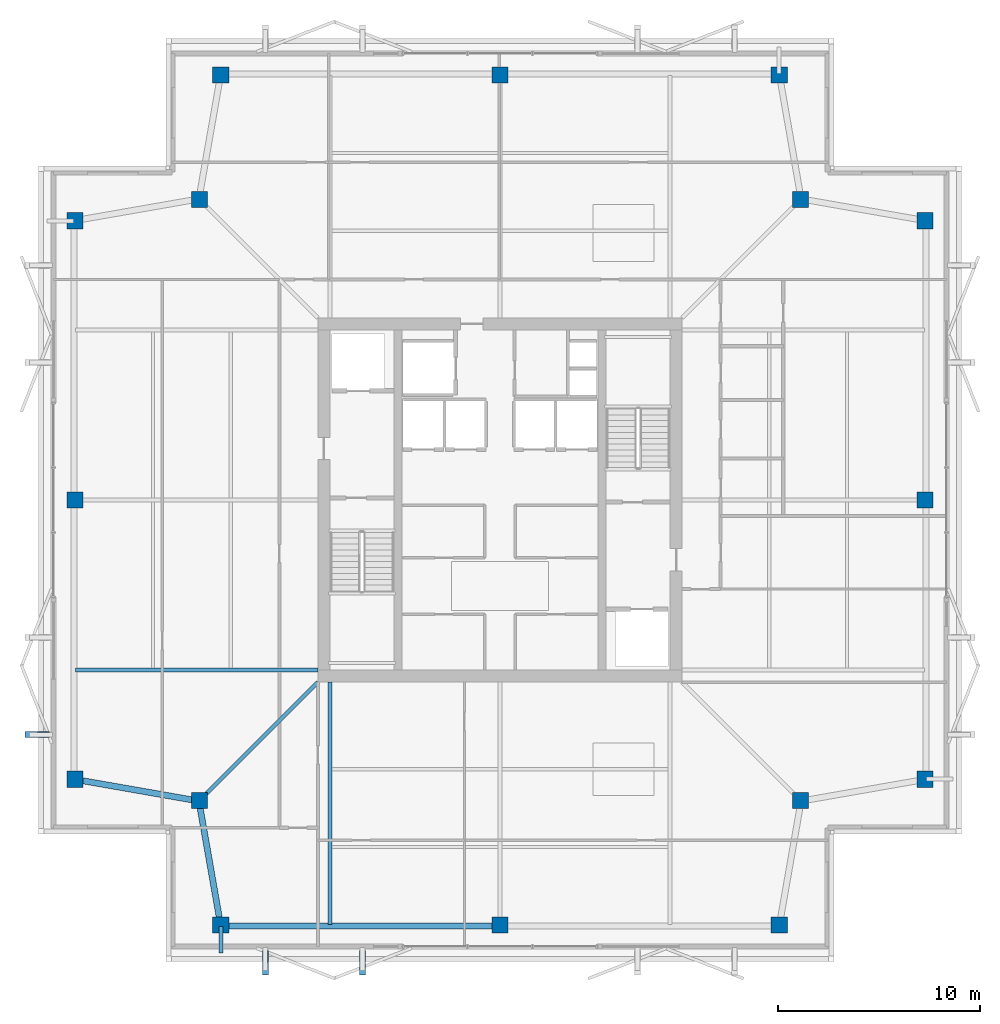
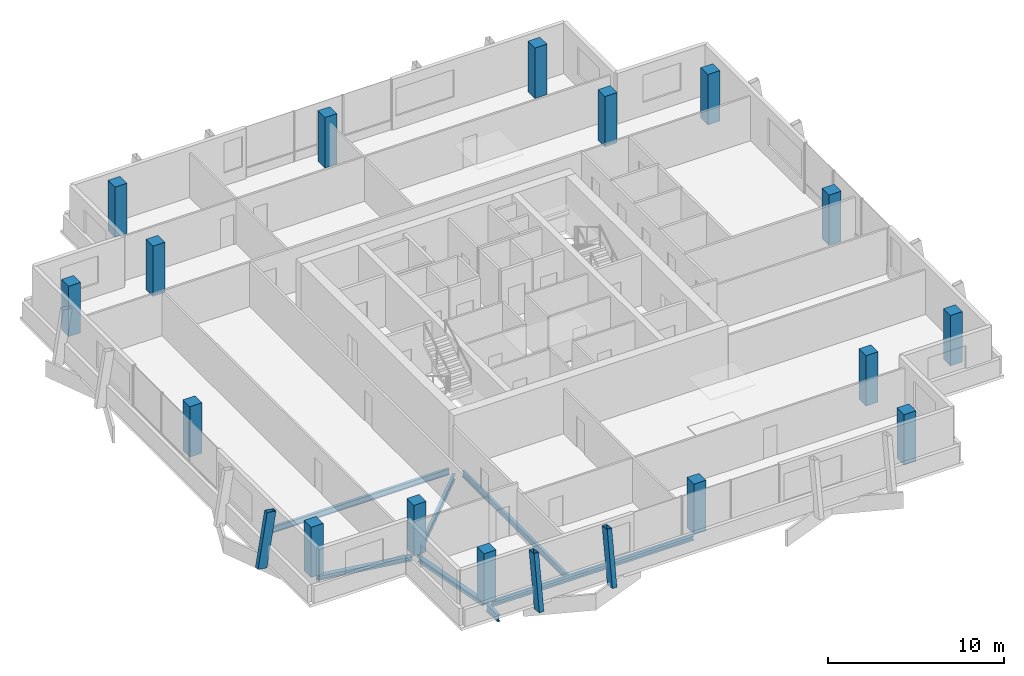
# One storey, part 1 of 17: 16 columns, 7 beams, 3 members.
"""IFC4 building model written with IfcOpenShell, lengths in metres."""

from ifc_helpers import new_model, si_unit, direction, frame, origin, origin_2d, place, context, subcontext, project, spatial, rectangle, hollow_rectangle, i_section, extrude, material, material_profile, profile_set, type_object, element, save


model = new_model("IFC4")

# Units and contexts
model_context = context("Model", 3, precision=1e-05, world=origin(), true_north=direction((0.0, 1.0)))
body_context = subcontext(model_context, "Body", "Model", "MODEL_VIEW")
ifc_project = project(units=[si_unit("LENGTHUNIT", "METRE"), si_unit("AREAUNIT", "SQUARE_METRE"), si_unit("VOLUMEUNIT", "CUBIC_METRE"), si_unit("PLANEANGLEUNIT", "RADIAN"), si_unit("MASSUNIT", "GRAM", prefix="KILO")], contexts=[model_context])

# Site, building, storey
site_placement = place(None, origin())
site = spatial("IfcSite", under=ifc_project, at=site_placement, CompositionType="ELEMENT")
building_placement = place(site_placement, origin())
building = spatial("IfcBuilding", under=site, at=building_placement, Name="Belovzor Exchange Tower", CompositionType="ELEMENT")
storey_placement = place(building_placement, frame((0.0, 0.0, 333.0)))
storey = spatial("IfcBuildingStorey", under=building, at=storey_placement, Name="L83", CompositionType="ELEMENT", Elevation=333.0)

# Columns
ifc_material_1 = material(Name="Concrete C50/60", Category="concrete")
ifc_material_profile_1 = material_profile(ifc_material_1, rectangle(XDim=0.800048828125, YDim=0.800048828125, at=origin_2d()))
ifc_profile_set_1 = profile_set([ifc_material_profile_1], Name="Concrete C50/60")
column_type = type_object("IfcColumnType", Name="Reinforced Concrete Tower Column 800x800", PredefinedType="COLUMN", material=ifc_profile_set_1)
for number, where, z_axis, x_axis, name in (
    (1, (15.0, 7.800048828125, 0.0029296875), (0.0, 0.0, 1.0), (1.0, 0.0, 0.0), "COL-T080 Reinforced Concrete Tower Column 800x800"),
    (2, (28.800048828125, 7.800048828125, 0.0029296875), (0.0, 0.0, 1.0), (1.0, 0.0, 0.0), "COL-T080 Reinforced Concrete Tower Column 800x800"),
    (3, (42.60009765625, 7.800048828125, 0.0029296875), (0.0, 0.0, 1.0), (1.0, 0.0, 0.0), "COL-T080 Reinforced Concrete Tower Column 800x800"),
    (4, (49.800048828125, 15.0, 0.0029296875), (0.0, 0.0, 1.0), (1.0, 0.0, 0.0), "COL-T080 Reinforced Concrete Tower Column 800x800"),
    (5, (49.800048828125, 28.800048828125, 0.0029296875), (0.0, 0.0, 1.0), (1.0, 0.0, 0.0), "COL-T080 Reinforced Concrete Tower Column 800x800"),
    (6, (49.800048828125, 42.60009765625, 0.0029296875), (0.0, 0.0, 1.0), (1.0, 0.0, 0.0), "COL-T080 Reinforced Concrete Tower Column 800x800"),
    (7, (42.60009765625, 49.800048828125, 0.0029296875), (0.0, 0.0, 1.0), (1.0, 0.0, 0.0), "COL-T080 Reinforced Concrete Tower Column 800x800"),
    (8, (28.800048828125, 49.800048828125, 0.0029296875), (0.0, 0.0, 1.0), (1.0, 0.0, 0.0), "COL-T080 Reinforced Concrete Tower Column 800x800"),
    (9, (15.0, 49.800048828125, 0.0029296875), (0.0, 0.0, 1.0), (1.0, 0.0, 0.0), "COL-T080 Reinforced Concrete Tower Column 800x800"),
    (10, (7.800048828125, 42.60009765625, 0.0029296875), (0.0, 0.0, 1.0), (1.0, 0.0, 0.0), "COL-T080 Reinforced Concrete Tower Column 800x800"),
    (11, (7.800048828125, 28.800048828125, 0.0029296875), (0.0, 0.0, 1.0), (1.0, 0.0, 0.0), "COL-T080 Reinforced Concrete Tower Column 800x800"),
    (12, (7.800048828125, 15.0, 0.0029296875), (0.0, 0.0, 1.0), (1.0, 0.0, 0.0), "COL-T080 Reinforced Concrete Tower Column 800x800"),
    (13, (13.949951171875, 13.949951171875, 0.0029296875), (0.0, 0.0, 1.0), (1.0, 0.0, 0.0), "COL-T080 Reinforced Concrete Tower Column 800x800"),
    (14, (43.64990234375, 13.949951171875, 0.0029296875), (0.0, 0.0, 1.0), (1.0, 0.0, 0.0), "COL-T080 Reinforced Concrete Tower Column 800x800"),
    (15, (43.64990234375, 43.64990234375, 0.0029296875), (0.0, 0.0, 1.0), (1.0, 0.0, 0.0), "COL-T080 Reinforced Concrete Tower Column 800x800"),
    (16, (13.949951171875, 43.64990234375, 0.0029296875), (0.0, 0.0, 1.0), (1.0, 0.0, 0.0), "COL-T080 Reinforced Concrete Tower Column 800x800"),
):
    element("IfcColumn", number, at=place(storey_placement, frame(where, z_axis=z_axis, x_axis=x_axis)), inside=storey, type_object=column_type, Name=name, PredefinedType="COLUMN", context=body_context, shape_type="SweptSolid", body=[
        extrude(rectangle(XDim=0.800048828125, YDim=0.800048828125, at=origin_2d()), origin(), (0.0, 0.0, 1.0), 3.504150390625),
    ])

# Beam
ifc_material_2 = material(Name="Steel S355", Category="steel")
ifc_material_profile_2 = material_profile(ifc_material_2, i_section(OverallWidth=0.199951171875, OverallDepth=0.5, WebThickness=0.01025390625, FlangeThickness=0.01611328125, at=origin_2d()))
ifc_profile_set_2 = profile_set([ifc_material_profile_2], Name="Steel S355")
beam_type_1 = type_object("IfcBeamType", Name="Planted Balcony Cantilever Beam IPE 500", PredefinedType="BEAM", material=ifc_profile_set_2)
beam_1_placement = place(storey_placement, frame((15.0, 7.721923828125, -0.489990234375), z_axis=(0.0, -1.0, 0.0), x_axis=(1.0, 0.0, 0.0)))
element("IfcBeam", 17, at=beam_1_placement, inside=storey, type_object=beam_type_1, Name="BC-500 Planted Balcony Cantilever Beam IPE 500", PredefinedType="BEAM", context=body_context, shape_type="SweptSolid", body=[
    extrude(i_section(OverallWidth=0.199951171875, OverallDepth=0.5, WebThickness=0.01025390625, FlangeThickness=0.01611328125, at=origin_2d()), origin(), (0.0, 0.0, 1.0), 1.322021484375),
])

# Members
ifc_material_3 = material(Name="Extruded Architectural Terracotta on Steel S355 Carrier", Category="masonry")
ifc_material_profile_3 = material_profile(ifc_material_3, hollow_rectangle(XDim=0.300048828125, YDim=0.60009765625, WallThickness=0.01611328125, at=origin_2d()))
ifc_profile_set_3 = profile_set([ifc_material_profile_3], Name="Extruded Architectural Terracotta on Steel S355 Carrier")
member_type = type_object("IfcMemberType", Name="Upper Crown Terracotta Fin Assembly 550", PredefinedType="USERDEFINED", material=ifc_profile_set_3)
for number, where, z_axis, x_axis, name in (
    (18, (17.199951171875, 5.625, -0.239990234375), (0.0, 0.158015573692, 0.987436619977), (-1.0, 0.0, 0.0), "FIN-TC055 Terracotta Facade Fin L83 S1"),
    (19, (5.625, 17.199951171875, -0.239990234375), (0.158015573692, 0.0, 0.987436619977), (0.0, 1.0, 0.0), "FIN-TC055 Terracotta Facade Fin L83 W1"),
    (20, (22.0, 5.625, -0.239990234375), (0.0, 0.158015573692, 0.987436619977), (-1.0, 0.0, 0.0), "FIN-TC055 Terracotta Facade Fin L83 S2"),
):
    element("IfcMember", number, at=place(storey_placement, frame(where, z_axis=z_axis, x_axis=x_axis)), inside=storey, type_object=member_type, Name=name, ObjectType="FIN", PredefinedType="USERDEFINED", context=body_context, shape_type="SweptSolid", body=[
        extrude(hollow_rectangle(XDim=0.300048828125, YDim=0.60009765625, WallThickness=0.01611328125, at=origin_2d()), origin(), (0.0, 0.0, 1.0), 3.797607421875),
    ])

# Beams
ifc_material_4 = material(Name="Steel S355", Category="steel")
ifc_material_profile_4 = material_profile(ifc_material_4, i_section(OverallWidth=0.179931640625, OverallDepth=0.39990234375, WebThickness=0.008544921875, FlangeThickness=0.013427734375, at=origin_2d()))
ifc_profile_set_4 = profile_set([ifc_material_profile_4], Name="Steel S355")
beam_type_2 = type_object("IfcBeamType", Name="Zone 5-6 Radial Composite Floor Beam IPE 400", PredefinedType="BEAM", material=ifc_profile_set_4)
for number, where, z_axis, x_axis, name in (
    (21, (20.39990234375, 19.800048828125, -0.43994140625), (0.0, -1.0, 0.0), (1.0, 0.0, 0.0), "FB-400 Zone 5-6 Radial Composite Floor Beam IPE 400"),
    (22, (19.800048828125, 20.39990234375, -0.43994140625), (-1.0, 0.0, 0.0), (0.0, -1.0, 0.0), "FB-400 Zone 5-6 Radial Composite Floor Beam IPE 400"),
):
    element("IfcBeam", number, at=place(storey_placement, frame(where, z_axis=z_axis, x_axis=x_axis)), inside=storey, type_object=beam_type_2, Name=name, PredefinedType="BEAM", context=body_context, shape_type="SweptSolid", body=[
        extrude(i_section(OverallWidth=0.179931640625, OverallDepth=0.39990234375, WebThickness=0.008544921875, FlangeThickness=0.013427734375, at=origin_2d()), origin(), (0.0, 0.0, 1.0), 11.987060546875),
    ])
beam_2_placement = place(storey_placement, frame((19.800048828125, 19.800048828125, -0.43994140625), z_axis=(-0.707106781187, -0.707106781187, 0.0), x_axis=(0.707106781187, -0.707106781187, 0.0)))
element("IfcBeam", 23, at=beam_2_placement, inside=storey, type_object=beam_type_2, Name="FB-400 Zone 5-6 Radial Composite Floor Beam IPE 400", PredefinedType="BEAM", context=body_context, shape_type="SweptSolid", body=[
    extrude(i_section(OverallWidth=0.179931640625, OverallDepth=0.39990234375, WebThickness=0.008544921875, FlangeThickness=0.013427734375, at=origin_2d()), origin(), (0.0, 0.0, 1.0), 7.98046875),
])
ifc_material_5 = material(Name="Steel S355", Category="steel")
ifc_material_profile_5 = material_profile(ifc_material_5, i_section(OverallWidth=0.300048828125, OverallDepth=0.300048828125, WebThickness=0.008544921875, FlangeThickness=0.013916015625, at=origin_2d()))
ifc_profile_set_5 = profile_set([ifc_material_profile_5], Name="Steel S355")
beam_type_3 = type_object("IfcBeamType", Name="Zone 6 Primary Girder HEA 300", PredefinedType="BEAM", material=ifc_profile_set_5)
beam_3_placement = place(storey_placement, frame((13.964111328125, 13.662109375, -0.389892578125), z_axis=(0.172252684082, -0.985052796974, 0.0), x_axis=(0.985052796974, 0.172252684082, 0.0)))
element("IfcBeam", 24, at=beam_3_placement, inside=storey, type_object=beam_type_3, Name="FG-Z6 Zone 6 Primary Girder HEA 300", PredefinedType="BEAM", context=body_context, shape_type="SweptSolid", body=[
    extrude(i_section(OverallWidth=0.300048828125, OverallDepth=0.300048828125, WebThickness=0.008544921875, FlangeThickness=0.013916015625, at=origin_2d()), origin(), (0.0, 0.0, 1.0), 5.7529296875),
])
beam_4_placement = place(storey_placement, frame((15.260986328125, 7.738037109375, -0.389892578125), z_axis=(1.0, 0.0, 0.0), x_axis=(0.0, 1.0, 0.0)))
element("IfcBeam", 25, at=beam_4_placement, inside=storey, type_object=beam_type_3, Name="FG-Z6 Zone 6 Primary Girder HEA 300", PredefinedType="BEAM", context=body_context, shape_type="SweptSolid", body=[
    extrude(i_section(OverallWidth=0.300048828125, OverallDepth=0.300048828125, WebThickness=0.008544921875, FlangeThickness=0.013916015625, at=origin_2d()), origin(), (0.0, 0.0, 1.0), 13.278076171875),
])
beam_5_placement = place(storey_placement, frame((7.9951171875, 14.955078125, -0.389892578125), z_axis=(0.985052796974, -0.172252684082, 0.0), x_axis=(0.172252684082, 0.985052796974, 0.0)))
element("IfcBeam", 26, at=beam_5_placement, inside=storey, type_object=beam_type_3, Name="FG-Z6 Zone 6 Primary Girder HEA 300", PredefinedType="BEAM", context=body_context, shape_type="SweptSolid", body=[
    extrude(i_section(OverallWidth=0.300048828125, OverallDepth=0.300048828125, WebThickness=0.008544921875, FlangeThickness=0.013916015625, at=origin_2d()), origin(), (0.0, 0.0, 1.0), 5.7529296875),
])

save(model, "model.ifc")
